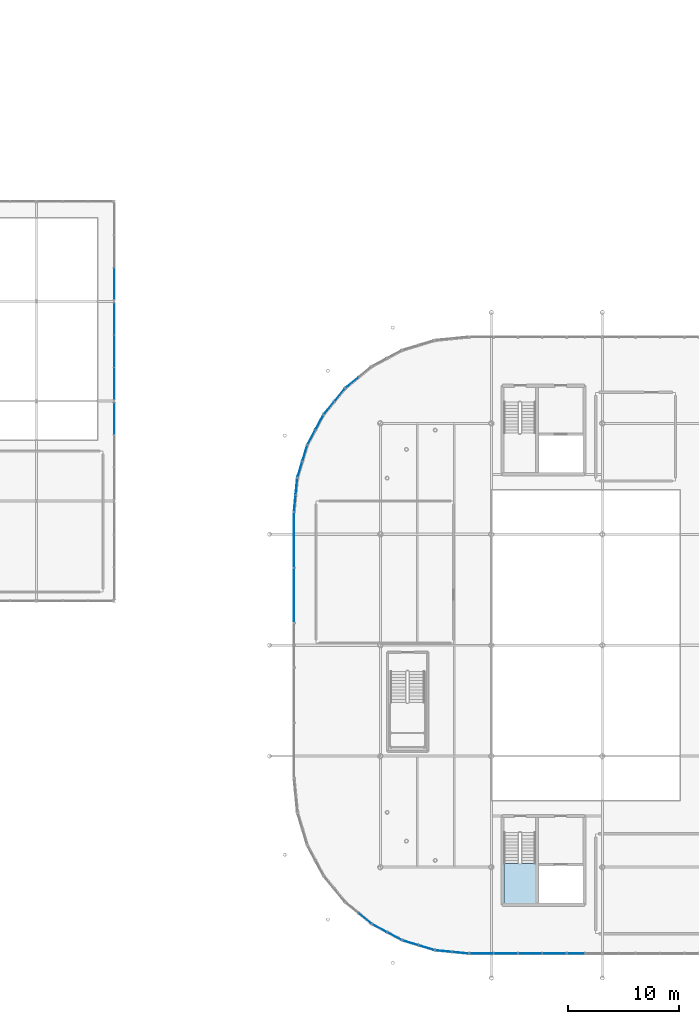
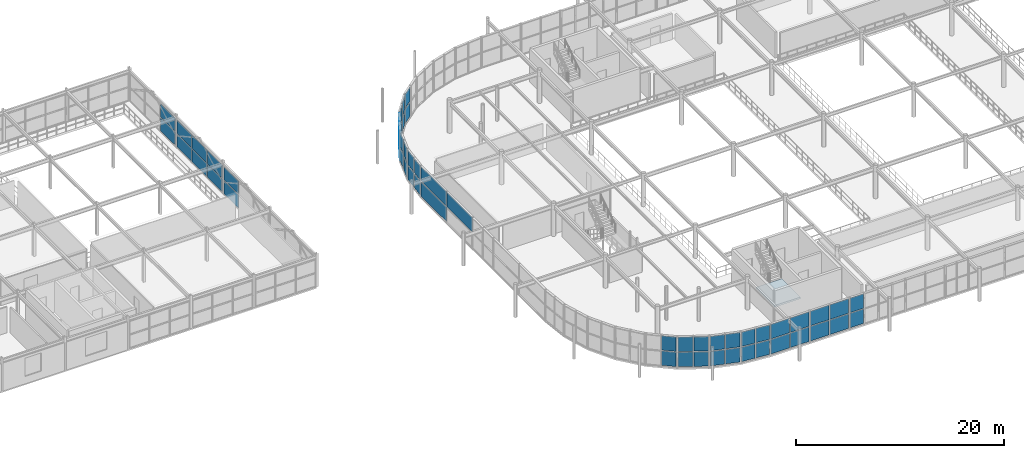
# One storey, part 65 of 98: 55 plates, 1 slab, 17 elements without a shape of their own.
"""IFC4 building model written with IfcOpenShell, lengths in metres."""

from ifc_helpers import new_model, si_unit, derived_unit, direction, frame, origin, origin_2d_with_axis, place, context, subcontext, project, spatial, polyline, rectangle, outline, extrude, material, layer, layer_set, type_object, element, aggregate, save


model = new_model("IFC4")

# Units and contexts
model_context = context("Model", 3, precision=1e-05, world=origin(), true_north=direction((0.0, 1.0)))
body_context = subcontext(model_context, "Body", "Model", "MODEL_VIEW")
ifc_project = project(units=[si_unit("LENGTHUNIT", "METRE"), si_unit("AREAUNIT", "SQUARE_METRE"), si_unit("VOLUMEUNIT", "CUBIC_METRE"), si_unit("PLANEANGLEUNIT", "RADIAN"), si_unit("MASSUNIT", "GRAM", prefix="KILO"), derived_unit("THERMALTRANSMITTANCEUNIT", [(si_unit("POWERUNIT", "WATT"), 1), (si_unit("LENGTHUNIT", "METRE"), -2), (si_unit("THERMODYNAMICTEMPERATUREUNIT", "KELVIN"), -1)])], contexts=[model_context])

# Site, building, storey
site_placement = place(None, origin())
site = spatial("IfcSite", under=ifc_project, at=site_placement, CompositionType="ELEMENT")
building_placement = place(site_placement, origin())
building = spatial("IfcBuilding", under=site, at=building_placement, Name="Cinnabar Yard Market Hall", CompositionType="ELEMENT")
storey_placement = place(building_placement, frame((0.0, 0.0, 4.5)))
storey = spatial("IfcBuildingStorey", under=building, at=storey_placement, Name="L01", CompositionType="ELEMENT", Elevation=4.5)

# Curtain wall, plates
ifc_material_1 = material(Name="Anodised bronze aluminium curved-chord facade", Category="aluminium")
curtain_wall_type_1 = type_object("IfcCurtainWallType", Name="CW-CWC031x36", PredefinedType="NOTDEFINED", material=ifc_material_1)
curtain_wall_1_placement = place(storey_placement, origin())
curtain_wall_1 = element("IfcCurtainWall", 1, at=curtain_wall_1_placement, inside=storey, type_object=curtain_wall_type_1, Name="Corner SW Chord 5 L01", PredefinedType="NOTDEFINED")
ifc_material_2 = material(Name="Low-E laminated glass", Category="glass")
ifc_layer_1 = layer(ifc_material_2, 0.031982421875)
ifc_layer_set_1 = layer_set([ifc_layer_1], Name="Low-E laminated glass")
plate_type_1 = type_object("IfcPlateType", Name="CWP-GP141x169", PredefinedType="CURTAIN_PANEL", material=ifc_layer_set_1)
plate_1_placement = place(storey_placement, frame((74.60595703125, 19.368408203125, 0.090087890625), z_axis=(0.0, 0.0, 1.0), x_axis=(0.773018564222, -0.634383400924, 0.0)))
plate_1 = element("IfcPlate", 2, at=plate_1_placement, type_object=plate_type_1, Name="CWC031x36 panel 2.1", PredefinedType="CURTAIN_PANEL", context=body_context, shape_type="SweptSolid", body=[
    extrude(rectangle(XDim=1.41357421875, YDim=0.031982421875, at=origin_2d_with_axis()), origin(), (0.0, 0.0, 1.0), 1.68994140625),
])
plate_2_placement = place(storey_placement, frame((74.60595703125, 19.368408203125, 1.8701171875), z_axis=(0.0, 0.0, 1.0), x_axis=(0.773018564222, -0.634383400924, 0.0)))
plate_2 = element("IfcPlate", 3, at=plate_2_placement, type_object=plate_type_1, Name="CWC031x36 panel 2.2", PredefinedType="CURTAIN_PANEL", context=body_context, shape_type="SweptSolid", body=[
    extrude(rectangle(XDim=1.41357421875, YDim=0.031982421875, at=origin_2d_with_axis()), origin(), (0.0, 0.0, 1.0), 1.68994140625),
])
aggregate(curtain_wall_1, [plate_1, plate_2])

curtain_wall_2_placement = place(storey_placement, origin())
curtain_wall_2 = element("IfcCurtainWall", 4, at=curtain_wall_2_placement, inside=storey, type_object=curtain_wall_type_1, Name="Corner SW Chord 6 L01", PredefinedType="NOTDEFINED")
plate_3_placement = place(storey_placement, frame((75.9248046875, 18.487060546875, 0.090087890625), z_axis=(0.0, 0.0, 1.0), x_axis=(0.881917320707, -0.471404114786, 0.0)))
plate_3 = element("IfcPlate", 5, at=plate_3_placement, type_object=plate_type_1, Name="CWC031x36 panel 1.1", PredefinedType="CURTAIN_PANEL", context=body_context, shape_type="SweptSolid", body=[
    extrude(rectangle(XDim=1.41357421875, YDim=0.031982421875, at=origin_2d_with_axis()), origin(), (0.0, 0.0, 1.0), 1.68994140625),
])
plate_4_placement = place(storey_placement, frame((75.9248046875, 18.487060546875, 1.8701171875), z_axis=(0.0, 0.0, 1.0), x_axis=(0.881917320707, -0.471404114786, 0.0)))
plate_4 = element("IfcPlate", 6, at=plate_4_placement, type_object=plate_type_1, Name="CWC031x36 panel 1.2", PredefinedType="CURTAIN_PANEL", context=body_context, shape_type="SweptSolid", body=[
    extrude(rectangle(XDim=1.41357421875, YDim=0.031982421875, at=origin_2d_with_axis()), origin(), (0.0, 0.0, 1.0), 1.68994140625),
])
plate_5_placement = place(storey_placement, frame((77.2509765625, 17.7783203125, 0.090087890625), z_axis=(0.0, 0.0, 1.0), x_axis=(0.881917320707, -0.471404114786, 0.0)))
plate_5 = element("IfcPlate", 7, at=plate_5_placement, type_object=plate_type_1, Name="CWC031x36 panel 2.1", PredefinedType="CURTAIN_PANEL", context=body_context, shape_type="SweptSolid", body=[
    extrude(rectangle(XDim=1.41357421875, YDim=0.031982421875, at=origin_2d_with_axis()), origin(), (0.0, 0.0, 1.0), 1.68994140625),
])
plate_6_placement = place(storey_placement, frame((77.2509765625, 17.7783203125, 1.8701171875), z_axis=(0.0, 0.0, 1.0), x_axis=(0.881917320707, -0.471404114786, 0.0)))
plate_6 = element("IfcPlate", 8, at=plate_6_placement, type_object=plate_type_1, Name="CWC031x36 panel 2.2", PredefinedType="CURTAIN_PANEL", context=body_context, shape_type="SweptSolid", body=[
    extrude(rectangle(XDim=1.41357421875, YDim=0.031982421875, at=origin_2d_with_axis()), origin(), (0.0, 0.0, 1.0), 1.68994140625),
])
aggregate(curtain_wall_2, [plate_3, plate_4, plate_5, plate_6])

curtain_wall_3_placement = place(storey_placement, origin())
curtain_wall_3 = element("IfcCurtainWall", 9, at=curtain_wall_3_placement, inside=storey, type_object=curtain_wall_type_1, Name="Corner SW Chord 7 L01", PredefinedType="NOTDEFINED")
plate_7_placement = place(storey_placement, frame((78.716064453125, 17.17138671875, 0.090087890625), z_axis=(0.0, 0.0, 1.0), x_axis=(0.956942090856, -0.290278891325, 0.0)))
plate_7 = element("IfcPlate", 10, at=plate_7_placement, type_object=plate_type_1, Name="CWC031x36 panel 1.1", PredefinedType="CURTAIN_PANEL", context=body_context, shape_type="SweptSolid", body=[
    extrude(rectangle(XDim=1.41357421875, YDim=0.031982421875, at=origin_2d_with_axis()), origin(), (0.0, 0.0, 1.0), 1.68994140625),
])
plate_8_placement = place(storey_placement, frame((78.716064453125, 17.17138671875, 1.8701171875), z_axis=(0.0, 0.0, 1.0), x_axis=(0.956942090856, -0.290278891325, 0.0)))
plate_8 = element("IfcPlate", 11, at=plate_8_placement, type_object=plate_type_1, Name="CWC031x36 panel 1.2", PredefinedType="CURTAIN_PANEL", context=body_context, shape_type="SweptSolid", body=[
    extrude(rectangle(XDim=1.41357421875, YDim=0.031982421875, at=origin_2d_with_axis()), origin(), (0.0, 0.0, 1.0), 1.68994140625),
])
plate_9_placement = place(storey_placement, frame((80.155029296875, 16.73486328125, 0.090087890625), z_axis=(0.0, 0.0, 1.0), x_axis=(0.956942090856, -0.290278891325, 0.0)))
plate_9 = element("IfcPlate", 12, at=plate_9_placement, type_object=plate_type_1, Name="CWC031x36 panel 2.1", PredefinedType="CURTAIN_PANEL", context=body_context, shape_type="SweptSolid", body=[
    extrude(rectangle(XDim=1.41357421875, YDim=0.031982421875, at=origin_2d_with_axis()), origin(), (0.0, 0.0, 1.0), 1.68994140625),
])
plate_10_placement = place(storey_placement, frame((80.155029296875, 16.73486328125, 1.8701171875), z_axis=(0.0, 0.0, 1.0), x_axis=(0.956942090856, -0.290278891325, 0.0)))
plate_10 = element("IfcPlate", 13, at=plate_10_placement, type_object=plate_type_1, Name="CWC031x36 panel 2.2", PredefinedType="CURTAIN_PANEL", context=body_context, shape_type="SweptSolid", body=[
    extrude(rectangle(XDim=1.41357421875, YDim=0.031982421875, at=origin_2d_with_axis()), origin(), (0.0, 0.0, 1.0), 1.68994140625),
])
aggregate(curtain_wall_3, [plate_7, plate_8, plate_9, plate_10])

curtain_wall_4_placement = place(storey_placement, origin())
curtain_wall_4 = element("IfcCurtainWall", 14, at=curtain_wall_4_placement, inside=storey, type_object=curtain_wall_type_1, Name="Corner SW Chord 8 L01", PredefinedType="NOTDEFINED")
plate_11_placement = place(storey_placement, frame((81.710693359375, 16.425537109375, 0.090087890625), z_axis=(0.0, 0.0, 1.0), x_axis=(0.995184408637, -0.098020369342, 0.0)))
plate_11 = element("IfcPlate", 15, at=plate_11_placement, type_object=plate_type_1, Name="CWC031x36 panel 1.1", PredefinedType="CURTAIN_PANEL", context=body_context, shape_type="SweptSolid", body=[
    extrude(rectangle(XDim=1.41357421875, YDim=0.031982421875, at=origin_2d_with_axis()), origin(), (0.0, 0.0, 1.0), 1.68994140625),
])
plate_12_placement = place(storey_placement, frame((81.710693359375, 16.425537109375, 1.8701171875), z_axis=(0.0, 0.0, 1.0), x_axis=(0.995184408637, -0.098020369342, 0.0)))
plate_12 = element("IfcPlate", 16, at=plate_12_placement, type_object=plate_type_1, Name="CWC031x36 panel 1.2", PredefinedType="CURTAIN_PANEL", context=body_context, shape_type="SweptSolid", body=[
    extrude(rectangle(XDim=1.41357421875, YDim=0.031982421875, at=origin_2d_with_axis()), origin(), (0.0, 0.0, 1.0), 1.68994140625),
])
plate_13_placement = place(storey_placement, frame((83.20703125, 16.278076171875, 0.090087890625), z_axis=(0.0, 0.0, 1.0), x_axis=(0.995184408637, -0.098020369342, 0.0)))
plate_13 = element("IfcPlate", 17, at=plate_13_placement, type_object=plate_type_1, Name="CWC031x36 panel 2.1", PredefinedType="CURTAIN_PANEL", context=body_context, shape_type="SweptSolid", body=[
    extrude(rectangle(XDim=1.41357421875, YDim=0.031982421875, at=origin_2d_with_axis()), origin(), (0.0, 0.0, 1.0), 1.68994140625),
])
plate_14_placement = place(storey_placement, frame((83.20703125, 16.278076171875, 1.8701171875), z_axis=(0.0, 0.0, 1.0), x_axis=(0.995184408637, -0.098020369342, 0.0)))
plate_14 = element("IfcPlate", 18, at=plate_14_placement, type_object=plate_type_1, Name="CWC031x36 panel 2.2", PredefinedType="CURTAIN_PANEL", context=body_context, shape_type="SweptSolid", body=[
    extrude(rectangle(XDim=1.41357421875, YDim=0.031982421875, at=origin_2d_with_axis()), origin(), (0.0, 0.0, 1.0), 1.68994140625),
])
aggregate(curtain_wall_4, [plate_11, plate_12, plate_13, plate_14])

curtain_wall_5_placement = place(storey_placement, origin())
curtain_wall_5 = element("IfcCurtainWall", 19, at=curtain_wall_5_placement, inside=storey, type_object=curtain_wall_type_1, Name="Corner NW Chord 4 L01", PredefinedType="NOTDEFINED")
plate_15_placement = place(storey_placement, frame((73.443603515625, 67.677734375, 0.090087890625), z_axis=(0.0, 0.0, 1.0), x_axis=(-0.773018564222, -0.634383400924, 0.0)))
plate_15 = element("IfcPlate", 20, at=plate_15_placement, type_object=plate_type_1, Name="CWC031x36 panel 2.1", PredefinedType="CURTAIN_PANEL", context=body_context, shape_type="SweptSolid", body=[
    extrude(rectangle(XDim=1.41357421875, YDim=0.031982421875, at=origin_2d_with_axis()), origin(), (0.0, 0.0, 1.0), 1.68994140625),
])
plate_16_placement = place(storey_placement, frame((73.443603515625, 67.677734375, 1.8701171875), z_axis=(0.0, 0.0, 1.0), x_axis=(-0.773018564222, -0.634383400924, 0.0)))
plate_16 = element("IfcPlate", 21, at=plate_16_placement, type_object=plate_type_1, Name="CWC031x36 panel 2.2", PredefinedType="CURTAIN_PANEL", context=body_context, shape_type="SweptSolid", body=[
    extrude(rectangle(XDim=1.41357421875, YDim=0.031982421875, at=origin_2d_with_axis()), origin(), (0.0, 0.0, 1.0), 1.68994140625),
])
aggregate(curtain_wall_5, [plate_15, plate_16])

curtain_wall_6_placement = place(storey_placement, origin())
curtain_wall_6 = element("IfcCurtainWall", 22, at=curtain_wall_6_placement, inside=storey, type_object=curtain_wall_type_1, Name="Corner NW Chord 5 L01", PredefinedType="NOTDEFINED")
plate_17_placement = place(storey_placement, frame((72.322265625, 66.556396484375, 0.090087890625), z_axis=(0.0, 0.0, 1.0), x_axis=(-0.634383400924, -0.773018564222, 0.0)))
plate_17 = element("IfcPlate", 23, at=plate_17_placement, type_object=plate_type_1, Name="CWC031x36 panel 1.1", PredefinedType="CURTAIN_PANEL", context=body_context, shape_type="SweptSolid", body=[
    extrude(rectangle(XDim=1.41357421875, YDim=0.031982421875, at=origin_2d_with_axis()), origin(), (0.0, 0.0, 1.0), 1.68994140625),
])
plate_18_placement = place(storey_placement, frame((72.322265625, 66.556396484375, 1.8701171875), z_axis=(0.0, 0.0, 1.0), x_axis=(-0.634383400924, -0.773018564222, 0.0)))
plate_18 = element("IfcPlate", 24, at=plate_18_placement, type_object=plate_type_1, Name="CWC031x36 panel 1.2", PredefinedType="CURTAIN_PANEL", context=body_context, shape_type="SweptSolid", body=[
    extrude(rectangle(XDim=1.41357421875, YDim=0.031982421875, at=origin_2d_with_axis()), origin(), (0.0, 0.0, 1.0), 1.68994140625),
])
plate_19_placement = place(storey_placement, frame((71.368408203125, 65.39404296875, 0.090087890625), z_axis=(0.0, 0.0, 1.0), x_axis=(-0.634383400924, -0.773018564222, 0.0)))
plate_19 = element("IfcPlate", 25, at=plate_19_placement, type_object=plate_type_1, Name="CWC031x36 panel 2.1", PredefinedType="CURTAIN_PANEL", context=body_context, shape_type="SweptSolid", body=[
    extrude(rectangle(XDim=1.41357421875, YDim=0.031982421875, at=origin_2d_with_axis()), origin(), (0.0, 0.0, 1.0), 1.68994140625),
])
plate_20_placement = place(storey_placement, frame((71.368408203125, 65.39404296875, 1.8701171875), z_axis=(0.0, 0.0, 1.0), x_axis=(-0.634383400924, -0.773018564222, 0.0)))
plate_20 = element("IfcPlate", 26, at=plate_20_placement, type_object=plate_type_1, Name="CWC031x36 panel 2.2", PredefinedType="CURTAIN_PANEL", context=body_context, shape_type="SweptSolid", body=[
    extrude(rectangle(XDim=1.41357421875, YDim=0.031982421875, at=origin_2d_with_axis()), origin(), (0.0, 0.0, 1.0), 1.68994140625),
])
aggregate(curtain_wall_6, [plate_17, plate_18, plate_19, plate_20])

curtain_wall_7_placement = place(storey_placement, origin())
curtain_wall_7 = element("IfcCurtainWall", 27, at=curtain_wall_7_placement, inside=storey, type_object=curtain_wall_type_1, Name="Corner NW Chord 6 L01", PredefinedType="NOTDEFINED")
plate_21_placement = place(storey_placement, frame((70.487060546875, 64.0751953125, 0.090087890625), z_axis=(0.0, 0.0, 1.0), x_axis=(-0.471404114786, -0.881917320707, 0.0)))
plate_21 = element("IfcPlate", 28, at=plate_21_placement, type_object=plate_type_1, Name="CWC031x36 panel 1.1", PredefinedType="CURTAIN_PANEL", context=body_context, shape_type="SweptSolid", body=[
    extrude(rectangle(XDim=1.41357421875, YDim=0.031982421875, at=origin_2d_with_axis()), origin(), (0.0, 0.0, 1.0), 1.68994140625),
])
plate_22_placement = place(storey_placement, frame((70.487060546875, 64.0751953125, 1.8701171875), z_axis=(0.0, 0.0, 1.0), x_axis=(-0.471404114786, -0.881917320707, 0.0)))
plate_22 = element("IfcPlate", 29, at=plate_22_placement, type_object=plate_type_1, Name="CWC031x36 panel 1.2", PredefinedType="CURTAIN_PANEL", context=body_context, shape_type="SweptSolid", body=[
    extrude(rectangle(XDim=1.41357421875, YDim=0.031982421875, at=origin_2d_with_axis()), origin(), (0.0, 0.0, 1.0), 1.68994140625),
])
plate_23_placement = place(storey_placement, frame((69.7783203125, 62.7490234375, 0.090087890625), z_axis=(0.0, 0.0, 1.0), x_axis=(-0.471404114786, -0.881917320707, 0.0)))
plate_23 = element("IfcPlate", 30, at=plate_23_placement, type_object=plate_type_1, Name="CWC031x36 panel 2.1", PredefinedType="CURTAIN_PANEL", context=body_context, shape_type="SweptSolid", body=[
    extrude(rectangle(XDim=1.41357421875, YDim=0.031982421875, at=origin_2d_with_axis()), origin(), (0.0, 0.0, 1.0), 1.68994140625),
])
plate_24_placement = place(storey_placement, frame((69.7783203125, 62.7490234375, 1.8701171875), z_axis=(0.0, 0.0, 1.0), x_axis=(-0.471404114786, -0.881917320707, 0.0)))
plate_24 = element("IfcPlate", 31, at=plate_24_placement, type_object=plate_type_1, Name="CWC031x36 panel 2.2", PredefinedType="CURTAIN_PANEL", context=body_context, shape_type="SweptSolid", body=[
    extrude(rectangle(XDim=1.41357421875, YDim=0.031982421875, at=origin_2d_with_axis()), origin(), (0.0, 0.0, 1.0), 1.68994140625),
])
aggregate(curtain_wall_7, [plate_21, plate_22, plate_23, plate_24])

curtain_wall_8_placement = place(storey_placement, origin())
curtain_wall_8 = element("IfcCurtainWall", 32, at=curtain_wall_8_placement, inside=storey, type_object=curtain_wall_type_1, Name="Corner NW Chord 7 L01", PredefinedType="NOTDEFINED")
plate_25_placement = place(storey_placement, frame((69.17138671875, 61.283935546875, 0.090087890625), z_axis=(0.0, 0.0, 1.0), x_axis=(-0.290278891325, -0.956942090856, 0.0)))
plate_25 = element("IfcPlate", 33, at=plate_25_placement, type_object=plate_type_1, Name="CWC031x36 panel 1.1", PredefinedType="CURTAIN_PANEL", context=body_context, shape_type="SweptSolid", body=[
    extrude(rectangle(XDim=1.41357421875, YDim=0.031982421875, at=origin_2d_with_axis()), origin(), (0.0, 0.0, 1.0), 1.68994140625),
])
plate_26_placement = place(storey_placement, frame((69.17138671875, 61.283935546875, 1.8701171875), z_axis=(0.0, 0.0, 1.0), x_axis=(-0.290278891325, -0.956942090856, 0.0)))
plate_26 = element("IfcPlate", 34, at=plate_26_placement, type_object=plate_type_1, Name="CWC031x36 panel 1.2", PredefinedType="CURTAIN_PANEL", context=body_context, shape_type="SweptSolid", body=[
    extrude(rectangle(XDim=1.41357421875, YDim=0.031982421875, at=origin_2d_with_axis()), origin(), (0.0, 0.0, 1.0), 1.68994140625),
])
plate_27_placement = place(storey_placement, frame((68.73486328125, 59.844970703125, 0.090087890625), z_axis=(0.0, 0.0, 1.0), x_axis=(-0.290278891325, -0.956942090856, 0.0)))
plate_27 = element("IfcPlate", 35, at=plate_27_placement, type_object=plate_type_1, Name="CWC031x36 panel 2.1", PredefinedType="CURTAIN_PANEL", context=body_context, shape_type="SweptSolid", body=[
    extrude(rectangle(XDim=1.41357421875, YDim=0.031982421875, at=origin_2d_with_axis()), origin(), (0.0, 0.0, 1.0), 1.68994140625),
])
plate_28_placement = place(storey_placement, frame((68.73486328125, 59.844970703125, 1.8701171875), z_axis=(0.0, 0.0, 1.0), x_axis=(-0.290278891325, -0.956942090856, 0.0)))
plate_28 = element("IfcPlate", 36, at=plate_28_placement, type_object=plate_type_1, Name="CWC031x36 panel 2.2", PredefinedType="CURTAIN_PANEL", context=body_context, shape_type="SweptSolid", body=[
    extrude(rectangle(XDim=1.41357421875, YDim=0.031982421875, at=origin_2d_with_axis()), origin(), (0.0, 0.0, 1.0), 1.68994140625),
])
aggregate(curtain_wall_8, [plate_25, plate_26, plate_27, plate_28])

curtain_wall_9_placement = place(storey_placement, origin())
curtain_wall_9 = element("IfcCurtainWall", 37, at=curtain_wall_9_placement, inside=storey, type_object=curtain_wall_type_1, Name="Corner NW Chord 8 L01", PredefinedType="NOTDEFINED")
plate_29_placement = place(storey_placement, frame((68.425537109375, 58.289306640625, 0.090087890625), z_axis=(0.0, 0.0, 1.0), x_axis=(-0.098020369342, -0.995184408637, 0.0)))
plate_29 = element("IfcPlate", 38, at=plate_29_placement, type_object=plate_type_1, Name="CWC031x36 panel 1.1", PredefinedType="CURTAIN_PANEL", context=body_context, shape_type="SweptSolid", body=[
    extrude(rectangle(XDim=1.41357421875, YDim=0.031982421875, at=origin_2d_with_axis()), origin(), (0.0, 0.0, 1.0), 1.68994140625),
])
plate_30_placement = place(storey_placement, frame((68.425537109375, 58.289306640625, 1.8701171875), z_axis=(0.0, 0.0, 1.0), x_axis=(-0.098020369342, -0.995184408637, 0.0)))
plate_30 = element("IfcPlate", 39, at=plate_30_placement, type_object=plate_type_1, Name="CWC031x36 panel 1.2", PredefinedType="CURTAIN_PANEL", context=body_context, shape_type="SweptSolid", body=[
    extrude(rectangle(XDim=1.41357421875, YDim=0.031982421875, at=origin_2d_with_axis()), origin(), (0.0, 0.0, 1.0), 1.68994140625),
])
plate_31_placement = place(storey_placement, frame((68.278076171875, 56.79296875, 0.090087890625), z_axis=(0.0, 0.0, 1.0), x_axis=(-0.098020369342, -0.995184408637, 0.0)))
plate_31 = element("IfcPlate", 40, at=plate_31_placement, type_object=plate_type_1, Name="CWC031x36 panel 2.1", PredefinedType="CURTAIN_PANEL", context=body_context, shape_type="SweptSolid", body=[
    extrude(rectangle(XDim=1.41357421875, YDim=0.031982421875, at=origin_2d_with_axis()), origin(), (0.0, 0.0, 1.0), 1.68994140625),
])
plate_32_placement = place(storey_placement, frame((68.278076171875, 56.79296875, 1.8701171875), z_axis=(0.0, 0.0, 1.0), x_axis=(-0.098020369342, -0.995184408637, 0.0)))
plate_32 = element("IfcPlate", 41, at=plate_32_placement, type_object=plate_type_1, Name="CWC031x36 panel 2.2", PredefinedType="CURTAIN_PANEL", context=body_context, shape_type="SweptSolid", body=[
    extrude(rectangle(XDim=1.41357421875, YDim=0.031982421875, at=origin_2d_with_axis()), origin(), (0.0, 0.0, 1.0), 1.68994140625),
])
aggregate(curtain_wall_9, [plate_29, plate_30, plate_31, plate_32])

ifc_material_3 = material(Name="Anodised bronze aluminium and low-E glass", Category="aluminium")
curtain_wall_type_2 = type_object("IfcCurtainWallType", Name="CW-CWH032x36", PredefinedType="NOTDEFINED", material=ifc_material_3)
curtain_wall_10_placement = place(storey_placement, origin())
curtain_wall_10 = element("IfcCurtainWall", 42, at=curtain_wall_10_placement, inside=storey, type_object=curtain_wall_type_2, Name="Market Hall South Gallery Glazing B1B", PredefinedType="NOTDEFINED")
ifc_layer_2 = layer(ifc_material_2, 0.031982421875)
ifc_layer_set_2 = layer_set([ifc_layer_2], Name="Low-E laminated glass")
plate_type_2 = type_object("IfcPlateType", Name="CWP-GP148x171", PredefinedType="CURTAIN_PANEL", material=ifc_layer_set_2)
plate_33_placement = place(storey_placement, frame((93.6201171875, 16.199951171875, 0.080078125), z_axis=(0.0, 0.0, 1.0), x_axis=(1.0, 0.0, 0.0)))
plate_33 = element("IfcPlate", 43, at=plate_33_placement, type_object=plate_type_2, Name="CWH032x36 panel 1.1", PredefinedType="CURTAIN_PANEL", context=body_context, shape_type="SweptSolid", body=[
    extrude(rectangle(XDim=1.47998046875, YDim=0.031982421875, at=origin_2d_with_axis()), origin(), (0.0, 0.0, 1.0), 1.705078125),
])
plate_34_placement = place(storey_placement, frame((93.6201171875, 16.199951171875, 1.864990234375), z_axis=(0.0, 0.0, 1.0), x_axis=(1.0, 0.0, 0.0)))
plate_34 = element("IfcPlate", 44, at=plate_34_placement, type_object=plate_type_2, Name="CWH032x36 panel 1.2", PredefinedType="CURTAIN_PANEL", context=body_context, shape_type="SweptSolid", body=[
    extrude(rectangle(XDim=1.47998046875, YDim=0.031982421875, at=origin_2d_with_axis()), origin(), (0.0, 0.0, 1.0), 1.705078125),
])
aggregate(curtain_wall_10, [plate_33, plate_34])

curtain_wall_type_3 = type_object("IfcCurtainWallType", Name="CW-CWH044x36", PredefinedType="NOTDEFINED", material=ifc_material_3)
curtain_wall_11_placement = place(storey_placement, origin())
curtain_wall_11 = element("IfcCurtainWall", 45, at=curtain_wall_11_placement, inside=storey, type_object=curtain_wall_type_3, Name="Market Hall South Gallery Glazing B1A", PredefinedType="NOTDEFINED")
ifc_layer_3 = layer(ifc_material_2, 0.031982421875)
ifc_layer_set_3 = layer_set([ifc_layer_3], Name="Low-E laminated glass")
plate_type_3 = type_object("IfcPlateType", Name="CWP-GP208x171", PredefinedType="CURTAIN_PANEL", material=ifc_layer_set_3)
plate_35_placement = place(storey_placement, frame((85.1201171875, 16.199951171875, 0.080078125), z_axis=(0.0, 0.0, 1.0), x_axis=(1.0, 0.0, 0.0)))
plate_35 = element("IfcPlate", 46, at=plate_35_placement, type_object=plate_type_3, Name="CWH044x36 panel 1.1", PredefinedType="CURTAIN_PANEL", context=body_context, shape_type="SweptSolid", body=[
    extrude(rectangle(XDim=2.080078125, YDim=0.031982421875, at=origin_2d_with_axis()), origin(), (0.0, 0.0, 1.0), 1.705078125),
])
plate_36_placement = place(storey_placement, frame((85.1201171875, 16.199951171875, 1.864990234375), z_axis=(0.0, 0.0, 1.0), x_axis=(1.0, 0.0, 0.0)))
plate_36 = element("IfcPlate", 47, at=plate_36_placement, type_object=plate_type_3, Name="CWH044x36 panel 1.2", PredefinedType="CURTAIN_PANEL", context=body_context, shape_type="SweptSolid", body=[
    extrude(rectangle(XDim=2.080078125, YDim=0.031982421875, at=origin_2d_with_axis()), origin(), (0.0, 0.0, 1.0), 1.705078125),
])
plate_37_placement = place(storey_placement, frame((87.280029296875, 16.199951171875, 0.080078125), z_axis=(0.0, 0.0, 1.0), x_axis=(1.0, 0.0, 0.0)))
plate_37 = element("IfcPlate", 48, at=plate_37_placement, type_object=plate_type_3, Name="CWH044x36 panel 2.1", PredefinedType="CURTAIN_PANEL", context=body_context, shape_type="SweptSolid", body=[
    extrude(rectangle(XDim=2.080078125, YDim=0.031982421875, at=origin_2d_with_axis()), origin(), (0.0, 0.0, 1.0), 1.705078125),
])
plate_38_placement = place(storey_placement, frame((87.280029296875, 16.199951171875, 1.864990234375), z_axis=(0.0, 0.0, 1.0), x_axis=(1.0, 0.0, 0.0)))
plate_38 = element("IfcPlate", 49, at=plate_38_placement, type_object=plate_type_3, Name="CWH044x36 panel 2.2", PredefinedType="CURTAIN_PANEL", context=body_context, shape_type="SweptSolid", body=[
    extrude(rectangle(XDim=2.080078125, YDim=0.031982421875, at=origin_2d_with_axis()), origin(), (0.0, 0.0, 1.0), 1.705078125),
])
aggregate(curtain_wall_11, [plate_35, plate_36, plate_37, plate_38])

curtain_wall_12_placement = place(storey_placement, origin())
curtain_wall_12 = element("IfcCurtainWall", 50, at=curtain_wall_12_placement, inside=storey, type_object=curtain_wall_type_3, Name="Market Hall South Gallery Glazing PTW", PredefinedType="NOTDEFINED")
plate_39_placement = place(storey_placement, frame((89.52001953125, 16.199951171875, 0.080078125), z_axis=(0.0, 0.0, 1.0), x_axis=(1.0, 0.0, 0.0)))
plate_39 = element("IfcPlate", 51, at=plate_39_placement, type_object=plate_type_3, Name="CWH044x36 panel 1.1", PredefinedType="CURTAIN_PANEL", context=body_context, shape_type="SweptSolid", body=[
    extrude(rectangle(XDim=2.080078125, YDim=0.031982421875, at=origin_2d_with_axis()), origin(), (0.0, 0.0, 1.0), 1.705078125),
])
plate_40_placement = place(storey_placement, frame((89.52001953125, 16.199951171875, 1.864990234375), z_axis=(0.0, 0.0, 1.0), x_axis=(1.0, 0.0, 0.0)))
plate_40 = element("IfcPlate", 52, at=plate_40_placement, type_object=plate_type_3, Name="CWH044x36 panel 1.2", PredefinedType="CURTAIN_PANEL", context=body_context, shape_type="SweptSolid", body=[
    extrude(rectangle(XDim=2.080078125, YDim=0.031982421875, at=origin_2d_with_axis()), origin(), (0.0, 0.0, 1.0), 1.705078125),
])
plate_41_placement = place(storey_placement, frame((91.679931640625, 16.199951171875, 0.080078125), z_axis=(0.0, 0.0, 1.0), x_axis=(1.0, 0.0, 0.0)))
plate_41 = element("IfcPlate", 53, at=plate_41_placement, type_object=plate_type_3, Name="CWH044x36 panel 2.1", PredefinedType="CURTAIN_PANEL", context=body_context, shape_type="SweptSolid", body=[
    extrude(rectangle(XDim=2.080078125, YDim=0.031982421875, at=origin_2d_with_axis()), origin(), (0.0, 0.0, 1.0), 1.705078125),
])
plate_42_placement = place(storey_placement, frame((91.679931640625, 16.199951171875, 1.864990234375), z_axis=(0.0, 0.0, 1.0), x_axis=(1.0, 0.0, 0.0)))
plate_42 = element("IfcPlate", 54, at=plate_42_placement, type_object=plate_type_3, Name="CWH044x36 panel 2.2", PredefinedType="CURTAIN_PANEL", context=body_context, shape_type="SweptSolid", body=[
    extrude(rectangle(XDim=2.080078125, YDim=0.031982421875, at=origin_2d_with_axis()), origin(), (0.0, 0.0, 1.0), 1.705078125),
])
aggregate(curtain_wall_12, [plate_39, plate_40, plate_41, plate_42])

ifc_material_4 = material(Name="Anodised bronze aluminium courtyard facade", Category="aluminium")
curtain_wall_type_4 = type_object("IfcCurtainWallType", Name="CW-CWF088x33", PredefinedType="NOTDEFINED", material=ifc_material_4)
curtain_wall_13_placement = place(storey_placement, origin())
curtain_wall_13 = element("IfcCurtainWall", 55, at=curtain_wall_13_placement, inside=storey, type_object=curtain_wall_type_4, Name="Pavilion Courtyard Glazing L01 Bay 2", PredefinedType="NOTDEFINED")
ifc_layer_4 = layer(ifc_material_2, 0.031982421875)
ifc_layer_set_4 = layer_set([ifc_layer_4], Name="Low-E laminated glass")
plate_type_4 = type_object("IfcPlateType", Name="CWP-GP282x153", PredefinedType="CURTAIN_PANEL", material=ifc_layer_set_4)
plate_43_placement = place(storey_placement, frame((52.0, 64.41455078125, 0.0751953125), z_axis=(0.0, 0.0, 1.0), x_axis=(0.0, 1.0, 0.0)))
plate_43 = element("IfcPlate", 56, at=plate_43_placement, type_object=plate_type_4, Name="CWF088x33 panel 3.1", PredefinedType="CURTAIN_PANEL", context=body_context, shape_type="SweptSolid", body=[
    extrude(rectangle(XDim=2.82080078125, YDim=0.031982421875, at=origin_2d_with_axis()), origin(), (0.0, 0.0, 1.0), 1.532470703125),
])
plate_44_placement = place(storey_placement, frame((52.0, 64.41455078125, 1.6826171875), z_axis=(0.0, 0.0, 1.0), x_axis=(0.0, 1.0, 0.0)))
plate_44 = element("IfcPlate", 57, at=plate_44_placement, type_object=plate_type_4, Name="CWF088x33 panel 3.2", PredefinedType="CURTAIN_PANEL", context=body_context, shape_type="SweptSolid", body=[
    extrude(rectangle(XDim=2.82080078125, YDim=0.031982421875, at=origin_2d_with_axis()), origin(), (0.0, 0.0, 1.0), 1.532470703125),
])
aggregate(curtain_wall_13, [plate_43, plate_44])

curtain_wall_14_placement = place(storey_placement, origin())
curtain_wall_14 = element("IfcCurtainWall", 58, at=curtain_wall_14_placement, inside=storey, type_object=curtain_wall_type_4, Name="Pavilion Courtyard Glazing L01 Bay 3", PredefinedType="NOTDEFINED")
plate_45_placement = place(storey_placement, frame((52.0, 67.58544921875, 0.0751953125), z_axis=(0.0, 0.0, 1.0), x_axis=(0.0, 1.0, 0.0)))
plate_45 = element("IfcPlate", 59, at=plate_45_placement, type_object=plate_type_4, Name="CWF088x33 panel 1.1", PredefinedType="CURTAIN_PANEL", context=body_context, shape_type="SweptSolid", body=[
    extrude(rectangle(XDim=2.82080078125, YDim=0.031982421875, at=origin_2d_with_axis()), origin(), (0.0, 0.0, 1.0), 1.532470703125),
])
plate_46_placement = place(storey_placement, frame((52.0, 67.58544921875, 1.6826171875), z_axis=(0.0, 0.0, 1.0), x_axis=(0.0, 1.0, 0.0)))
plate_46 = element("IfcPlate", 60, at=plate_46_placement, type_object=plate_type_4, Name="CWF088x33 panel 1.2", PredefinedType="CURTAIN_PANEL", context=body_context, shape_type="SweptSolid", body=[
    extrude(rectangle(XDim=2.82080078125, YDim=0.031982421875, at=origin_2d_with_axis()), origin(), (0.0, 0.0, 1.0), 1.532470703125),
])
plate_47_placement = place(storey_placement, frame((52.0, 73.41455078125, 0.0751953125), z_axis=(0.0, 0.0, 1.0), x_axis=(0.0, 1.0, 0.0)))
plate_47 = element("IfcPlate", 61, at=plate_47_placement, type_object=plate_type_4, Name="CWF088x33 panel 3.1", PredefinedType="CURTAIN_PANEL", context=body_context, shape_type="SweptSolid", body=[
    extrude(rectangle(XDim=2.82080078125, YDim=0.031982421875, at=origin_2d_with_axis()), origin(), (0.0, 0.0, 1.0), 1.532470703125),
])
plate_48_placement = place(storey_placement, frame((52.0, 73.41455078125, 1.6826171875), z_axis=(0.0, 0.0, 1.0), x_axis=(0.0, 1.0, 0.0)))
plate_48 = element("IfcPlate", 62, at=plate_48_placement, type_object=plate_type_4, Name="CWF088x33 panel 3.2", PredefinedType="CURTAIN_PANEL", context=body_context, shape_type="SweptSolid", body=[
    extrude(rectangle(XDim=2.82080078125, YDim=0.031982421875, at=origin_2d_with_axis()), origin(), (0.0, 0.0, 1.0), 1.532470703125),
])

curtain_wall_15_placement = place(storey_placement, origin())
curtain_wall_15 = element("IfcCurtainWall", 63, at=curtain_wall_15_placement, inside=storey, type_object=curtain_wall_type_4, Name="Pavilion Courtyard Glazing L01 Bay 4", PredefinedType="NOTDEFINED")
plate_49_placement = place(storey_placement, frame((52.0, 76.58544921875, 0.0751953125), z_axis=(0.0, 0.0, 1.0), x_axis=(0.0, 1.0, 0.0)))
plate_49 = element("IfcPlate", 64, at=plate_49_placement, type_object=plate_type_4, Name="CWF088x33 panel 1.1", PredefinedType="CURTAIN_PANEL", context=body_context, shape_type="SweptSolid", body=[
    extrude(rectangle(XDim=2.82080078125, YDim=0.031982421875, at=origin_2d_with_axis()), origin(), (0.0, 0.0, 1.0), 1.532470703125),
])
plate_50_placement = place(storey_placement, frame((52.0, 76.58544921875, 1.6826171875), z_axis=(0.0, 0.0, 1.0), x_axis=(0.0, 1.0, 0.0)))
plate_50 = element("IfcPlate", 65, at=plate_50_placement, type_object=plate_type_4, Name="CWF088x33 panel 1.2", PredefinedType="CURTAIN_PANEL", context=body_context, shape_type="SweptSolid", body=[
    extrude(rectangle(XDim=2.82080078125, YDim=0.031982421875, at=origin_2d_with_axis()), origin(), (0.0, 0.0, 1.0), 1.532470703125),
])
aggregate(curtain_wall_15, [plate_49, plate_50])

# Plate
ifc_layer_5 = layer(ifc_material_2, 0.031982421875)
ifc_layer_set_5 = layer_set([ifc_layer_5], Name="Low-E laminated glass")
plate_type_5 = type_object("IfcPlateType", Name="CWP-GP286x153", PredefinedType="CURTAIN_PANEL", material=ifc_layer_set_5)
plate_51_placement = place(storey_placement, frame((52.0, 70.5, 0.0751953125), z_axis=(0.0, 0.0, 1.0), x_axis=(0.0, 1.0, 0.0)))
plate_51 = element("IfcPlate", 66, at=plate_51_placement, type_object=plate_type_5, Name="CWF088x33 panel 2.1", PredefinedType="CURTAIN_PANEL", context=body_context, shape_type="SweptSolid", body=[
    extrude(rectangle(XDim=2.8583984375, YDim=0.031982421875, at=origin_2d_with_axis()), origin(), (0.0, 0.0, 1.0), 1.532470703125),
])

plate_52_placement = place(storey_placement, frame((52.0, 70.5, 1.6826171875), z_axis=(0.0, 0.0, 1.0), x_axis=(0.0, 1.0, 0.0)))
plate_52 = element("IfcPlate", 67, at=plate_52_placement, type_object=plate_type_5, Name="CWF088x33 panel 2.2", PredefinedType="CURTAIN_PANEL", context=body_context, shape_type="SweptSolid", body=[
    extrude(rectangle(XDim=2.8583984375, YDim=0.031982421875, at=origin_2d_with_axis()), origin(), (0.0, 0.0, 1.0), 1.532470703125),
])

aggregate(curtain_wall_14, [plate_45, plate_46, plate_51, plate_52, plate_47, plate_48])

# Curtain wall, plates
curtain_wall_type_5 = type_object("IfcCurtainWallType", Name="CW-CWH100x36", PredefinedType="NOTDEFINED", material=ifc_material_3)
curtain_wall_16_placement = place(storey_placement, origin())
curtain_wall_16 = element("IfcCurtainWall", 68, at=curtain_wall_16_placement, inside=storey, type_object=curtain_wall_type_5, Name="Market Hall West Gallery Glazing W2", PredefinedType="NOTDEFINED")
ifc_layer_6 = layer(ifc_material_2, 0.031982421875)
ifc_layer_set_6 = layer_set([ifc_layer_6], Name="Low-E laminated glass")
plate_type_6 = type_object("IfcPlateType", Name="CWP-GP488x171", PredefinedType="CURTAIN_PANEL", material=ifc_layer_set_6)
plate_53_placement = place(storey_placement, frame((68.199951171875, 53.47998046875, 0.080078125), z_axis=(0.0, 0.0, 1.0), x_axis=(0.0, -1.0, 0.0)))
plate_53 = element("IfcPlate", 69, at=plate_53_placement, type_object=plate_type_6, Name="CWH100x36 panel 1.1", PredefinedType="CURTAIN_PANEL", context=body_context, shape_type="SweptSolid", body=[
    extrude(rectangle(XDim=4.8798828125, YDim=0.031982421875, at=origin_2d_with_axis()), origin(), (0.0, 0.0, 1.0), 1.705078125),
])
plate_54_placement = place(storey_placement, frame((68.199951171875, 53.47998046875, 1.864990234375), z_axis=(0.0, 0.0, 1.0), x_axis=(0.0, -1.0, 0.0)))
plate_54 = element("IfcPlate", 70, at=plate_54_placement, type_object=plate_type_6, Name="CWH100x36 panel 1.2", PredefinedType="CURTAIN_PANEL", context=body_context, shape_type="SweptSolid", body=[
    extrude(rectangle(XDim=4.8798828125, YDim=0.031982421875, at=origin_2d_with_axis()), origin(), (0.0, 0.0, 1.0), 1.705078125),
])
plate_55_placement = place(storey_placement, frame((68.199951171875, 48.52001953125, 1.864990234375), z_axis=(0.0, 0.0, 1.0), x_axis=(0.0, -1.0, 0.0)))
plate_55 = element("IfcPlate", 71, at=plate_55_placement, type_object=plate_type_6, Name="CWH100x36 panel 2.2", PredefinedType="CURTAIN_PANEL", context=body_context, shape_type="SweptSolid", body=[
    extrude(rectangle(XDim=4.8798828125, YDim=0.031982421875, at=origin_2d_with_axis()), origin(), (0.0, 0.0, 1.0), 1.705078125),
])
aggregate(curtain_wall_16, [plate_53, plate_54, plate_55])

# Stair, slab
ifc_material_5 = material(Name="Concrete 40 MPa", Category="concrete")
stair_type = type_object("IfcStairType", Name="ST-CORE", PredefinedType="HALF_TURN_STAIR", material=ifc_material_5)
stair_placement = place(storey_placement, origin())
stair = element("IfcStair", 72, at=stair_placement, inside=storey, type_object=stair_type, Name="L01 Market Hall South-West Core Stair", PredefinedType="HALF_TURN_STAIR")
ifc_layer_7 = layer(ifc_material_5, 0.199951171875)
ifc_layer_set_7 = layer_set([ifc_layer_7], Name="Concrete 40 MPa")
slab_type = type_object("IfcSlabType", Name="SL-LAND", PredefinedType="LANDING", material=ifc_layer_set_7)
slab_placement = place(storey_placement, frame((0.0, 0.0, 1.75)))
slab = element("IfcSlab", 73, at=slab_placement, type_object=slab_type, Name="ST-C1 landing 1", PredefinedType="LANDING", context=body_context, shape_type="SweptSolid", body=[
    extrude(outline(polyline([(87.139892578125, 24.31005859375), (87.139892578125, 20.739990234375), (90.0, 20.739990234375), (90.0, 24.31005859375), (87.139892578125, 24.31005859375)])), origin(), (0.0, 0.0, 1.0), 0.199951171875),
])
aggregate(stair, [slab])

save(model, "model.ifc")
